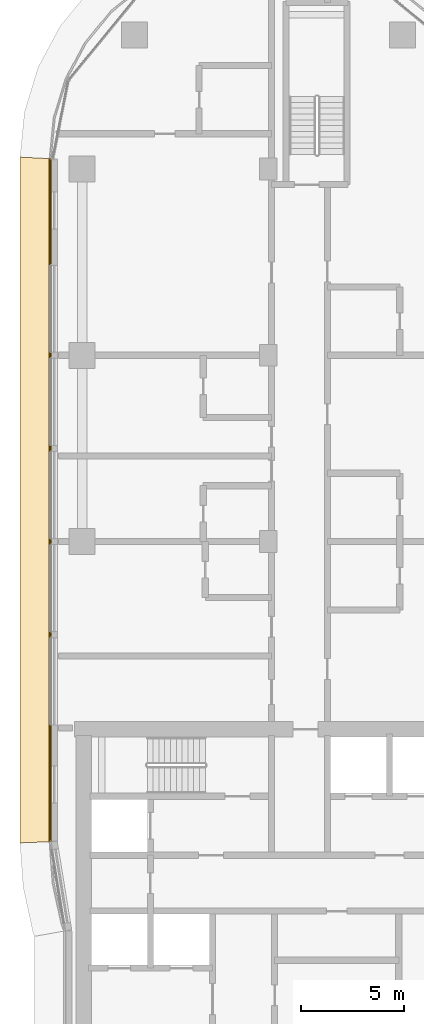
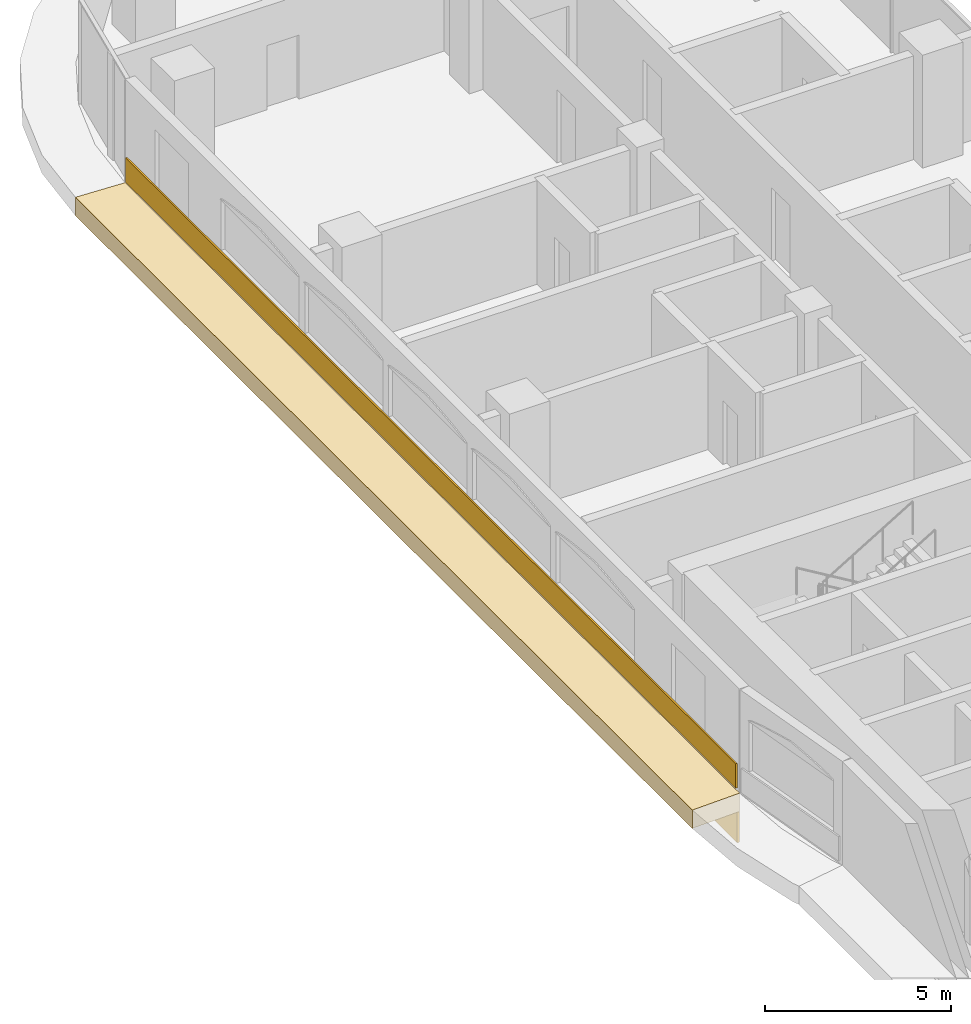
# One storey, part 19 of 25: 3 coverings.
"""IFC4 building model written with IfcOpenShell, lengths in metres."""

from ifc_helpers import new_model, si_unit, direction, frame, origin, origin_2d, place, context, subcontext, project, spatial, polyline, rectangle, outline, extrude, material, layer, layer_set, type_object, element, save


model = new_model("IFC4")

# Units and contexts
model_context = context("Model", 3, precision=1e-05, world=origin(), true_north=direction((0.0, 1.0)))
body_context = subcontext(model_context, "Body", "Model", "MODEL_VIEW")
ifc_project = project(units=[si_unit("LENGTHUNIT", "METRE"), si_unit("AREAUNIT", "SQUARE_METRE"), si_unit("VOLUMEUNIT", "CUBIC_METRE"), si_unit("PLANEANGLEUNIT", "RADIAN"), si_unit("MASSUNIT", "GRAM", prefix="KILO")], contexts=[model_context])

# Site, building, storey
site_placement = place(None, origin())
site = spatial("IfcSite", under=ifc_project, at=site_placement, CompositionType="ELEMENT")
building_placement = place(site_placement, origin())
building = spatial("IfcBuilding", under=site, at=building_placement, Name="Ogive Portal Towers", CompositionType="ELEMENT")
storey_placement = place(building_placement, frame((0.0, 0.0, 105.60009765625)))
storey = spatial("IfcBuildingStorey", under=building, at=storey_placement, Name="L25", CompositionType="ELEMENT", Elevation=105.60009765625)

# Coverings
ifc_material = material(Name="Limestone cladding on lightweight block wall", Category="masonry")
ifc_layer_1 = layer(ifc_material, 0.050048828125)
ifc_layer_set_1 = layer_set([ifc_layer_1], Name="SCREEN PERFORATED STONE")
covering_type_1 = type_object("IfcCoveringType", Name="SCREEN PERFORATED STONE", PredefinedType="CLADDING", material=ifc_layer_set_1)
covering_1_placement = place(storey_placement, frame((29.97509765625, 50.50830078125, 0.10009765625), z_axis=(0.0, 0.0, 1.0), x_axis=(0.0, -1.0, 0.0)))
element("IfcCovering", 1, at=covering_1_placement, inside=storey, type_object=covering_type_1, Name="Tracery screen", PredefinedType="CLADDING", context=body_context, shape_type="SweptSolid", body=[
    extrude(rectangle(XDim=32.767822265625, YDim=0.050048828125, at=origin_2d()), origin(), (0.0, 0.0, 1.0), 0.800048828125),
])
ifc_layer_2 = layer(ifc_material, 0.080078125)
ifc_layer_set_2 = layer_set([ifc_layer_2], Name="STONE SPANDREL 80")
covering_type_2 = type_object("IfcCoveringType", Name="STONE SPANDREL 80", PredefinedType="CLADDING", material=ifc_layer_set_2)
covering_2_placement = place(storey_placement, frame((0.0, 0.0, -1.60009765625)))
element("IfcCovering", 2, at=covering_2_placement, inside=storey, type_object=covering_type_2, Name="Stone spandrel A1-F13", PredefinedType="CLADDING", context=body_context, shape_type="SweptSolid", body=[
    extrude(outline(polyline([(30.0, 67.0), (30.0, 34.0), (29.919921875, 33.9970703125), (29.919921875, 67.00390625), (30.0, 67.0)])), origin(), (0.0, 0.0, 1.0), 1.0),
])
ifc_layer_3 = layer(ifc_material, 0.60009765625)
ifc_layer_set_3 = layer_set([ifc_layer_3], Name="SUNSHADE LIP 600")
covering_type_3 = type_object("IfcCoveringType", Name="SUNSHADE LIP 600", PredefinedType="CLADDING", material=ifc_layer_set_3)
covering_3_placement = place(storey_placement, frame((0.0, 0.0, -0.60009765625)))
element("IfcCovering", 3, at=covering_3_placement, inside=storey, type_object=covering_type_3, Name="Sunshade lip A1-F13", PredefinedType="CLADDING", context=body_context, shape_type="SweptSolid", body=[
    extrude(outline(polyline([(30.0, 67.0), (30.0, 34.0), (28.5, 33.946533203125), (28.5, 67.07373046875), (30.0, 67.0)])), origin(), (0.0, 0.0, 1.0), 0.60009765625),
])

save(model, "model.ifc")
